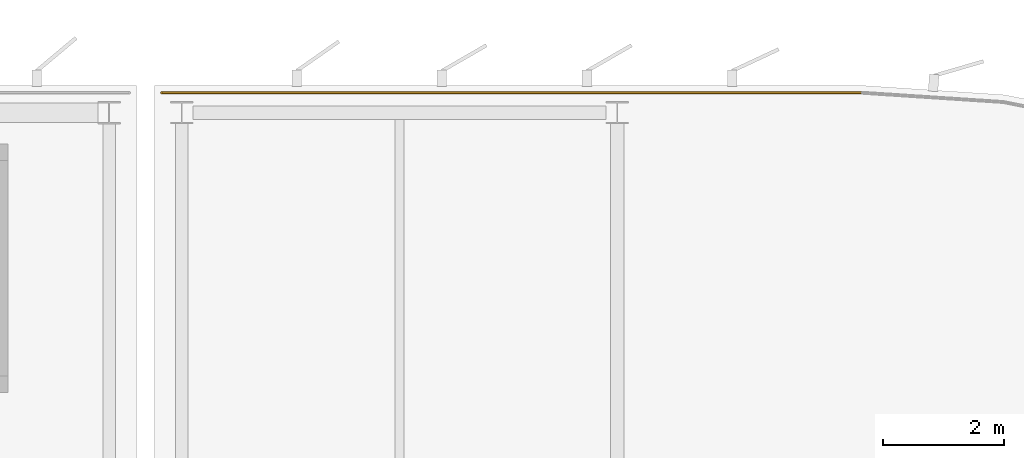
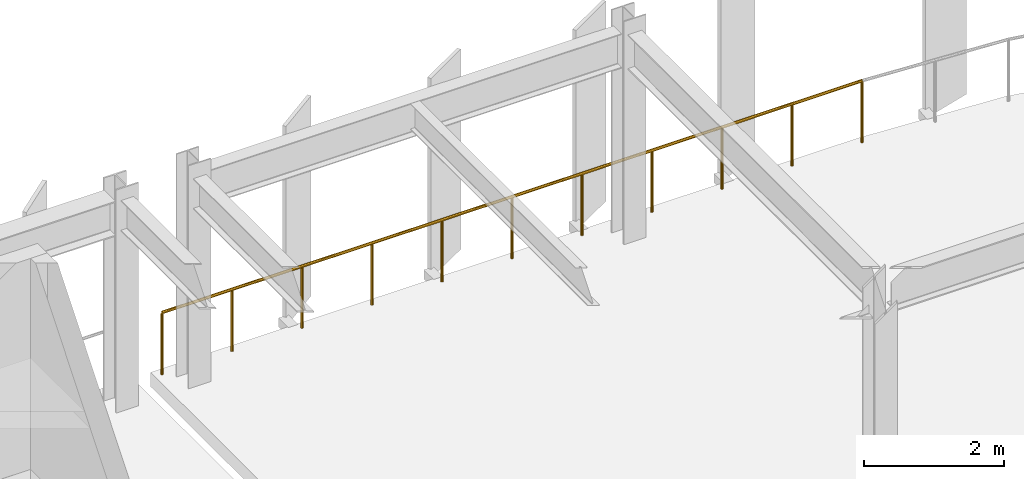
# One storey, part 70 of 80: 1 railing.
"""IFC4 building model written with IfcOpenShell, lengths in metres."""

from ifc_helpers import new_model, si_unit, direction, frame, origin, origin_2d, place, context, subcontext, project, spatial, circle, extrude, material, layer, layer_set, type_object, element, save


model = new_model("IFC4")

# Units and contexts
model_context = context("Model", 3, precision=1e-05, world=origin(), true_north=direction((0.0, 1.0)))
body_context = subcontext(model_context, "Body", "Model", "MODEL_VIEW")
ifc_project = project(units=[si_unit("LENGTHUNIT", "METRE"), si_unit("AREAUNIT", "SQUARE_METRE"), si_unit("VOLUMEUNIT", "CUBIC_METRE"), si_unit("PLANEANGLEUNIT", "RADIAN"), si_unit("MASSUNIT", "GRAM", prefix="KILO")], contexts=[model_context])

# Site, building, storey
site_placement = place(None, origin())
site = spatial("IfcSite", under=ifc_project, at=site_placement, CompositionType="ELEMENT")
building_placement = place(site_placement, origin())
building = spatial("IfcBuilding", under=site, at=building_placement, Name="Vaelcorin Mobility Hub", CompositionType="ELEMENT")
storey_placement = place(building_placement, frame((0.0, 0.0, 9.300048828125)))
storey = spatial("IfcBuildingStorey", under=building, at=storey_placement, Name="L02", CompositionType="ELEMENT", Elevation=9.300048828125)

# Railing
ifc_material = material(Name="Galvanised structural steel ASTM A36", Category="steel")
ifc_layer = layer(ifc_material, 0.070068359375)
ifc_layer_set = layer_set([ifc_layer], Name="Galvanised structural steel ASTM A36")
railing_type = type_object("IfcRailingType", Name="RL-GUARD-1100", PredefinedType="BALUSTRADE", material=ifc_layer_set)
railing_placement = place(storey_placement, frame((123.27001953125, 120.330078125, 0.0)))
element("IfcRailing", 1, at=railing_placement, inside=storey, type_object=railing_type, Name="L02 Perimeter Guard GR-V2E-L02-01", PredefinedType="BALUSTRADE", context=body_context, shape_type="SweptSolid", body=[
    extrude(circle(Radius=0.02392578125, at=origin_2d()), frame((0.0, 0.0, 1.076171875), z_axis=(1.0, 0.0, 0.0), x_axis=(0.0, 1.0, 0.0)), (0.0, 0.0, 1.0), 11.580078125),
    extrude(circle(Radius=0.02099609375, at=origin_2d()), origin(), (0.0, 0.0, 1.0), 1.052001953125),
    extrude(circle(Radius=0.02099609375, at=origin_2d()), frame((1.157958984375, 0.0, 0.0)), (0.0, 0.0, 1.0), 1.052001953125),
    extrude(circle(Radius=0.02099609375, at=origin_2d()), frame((2.31591796875, 0.0, 0.0)), (0.0, 0.0, 1.0), 1.052001953125),
    extrude(circle(Radius=0.02099609375, at=origin_2d()), frame((3.47412109375, 0.0, 0.0)), (0.0, 0.0, 1.0), 1.052001953125),
    extrude(circle(Radius=0.02099609375, at=origin_2d()), frame((4.632080078125, 0.0, 0.0)), (0.0, 0.0, 1.0), 1.052001953125),
    extrude(circle(Radius=0.02099609375, at=origin_2d()), frame((5.7900390625, 0.0, 0.0)), (0.0, 0.0, 1.0), 1.052001953125),
    extrude(circle(Radius=0.02099609375, at=origin_2d()), frame((6.947998046875, 0.0, 0.0)), (0.0, 0.0, 1.0), 1.052001953125),
    extrude(circle(Radius=0.02099609375, at=origin_2d()), frame((8.10595703125, 0.0, 0.0)), (0.0, 0.0, 1.0), 1.052001953125),
    extrude(circle(Radius=0.02099609375, at=origin_2d()), frame((9.26416015625, 0.0, 0.0)), (0.0, 0.0, 1.0), 1.052001953125),
    extrude(circle(Radius=0.02099609375, at=origin_2d()), frame((10.422119140625, 0.0, 0.0)), (0.0, 0.0, 1.0), 1.052001953125),
    extrude(circle(Radius=0.02099609375, at=origin_2d()), frame((11.580078125, 0.0, 0.0)), (0.0, 0.0, 1.0), 1.052001953125),
])

save(model, "model.ifc")
